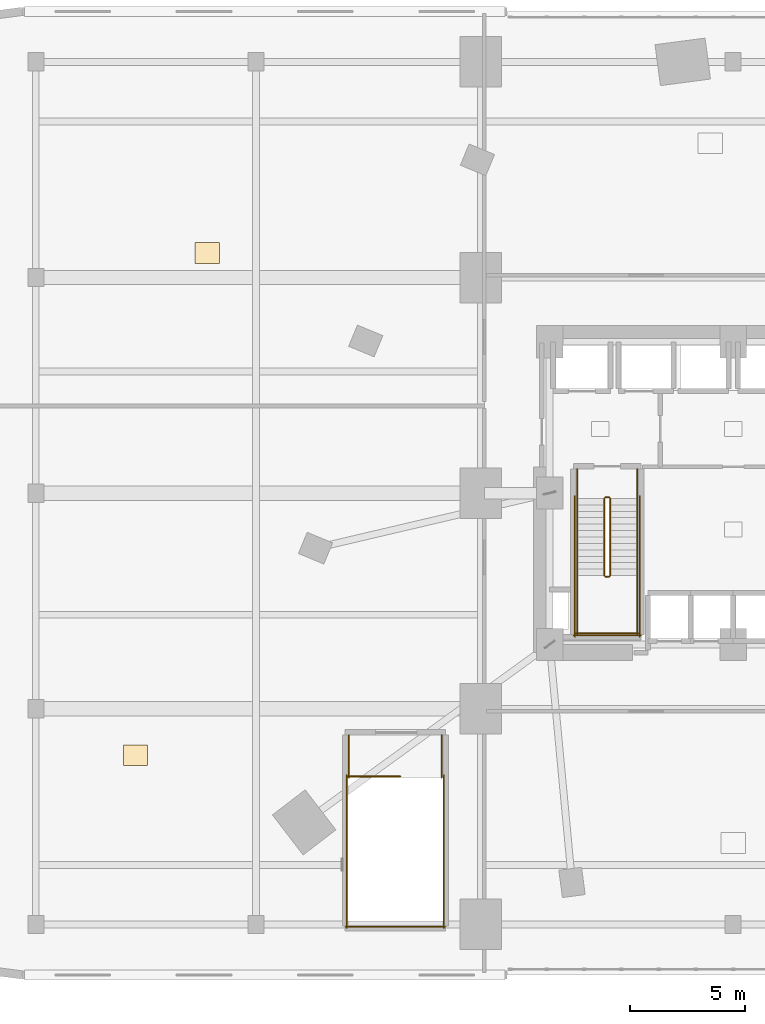
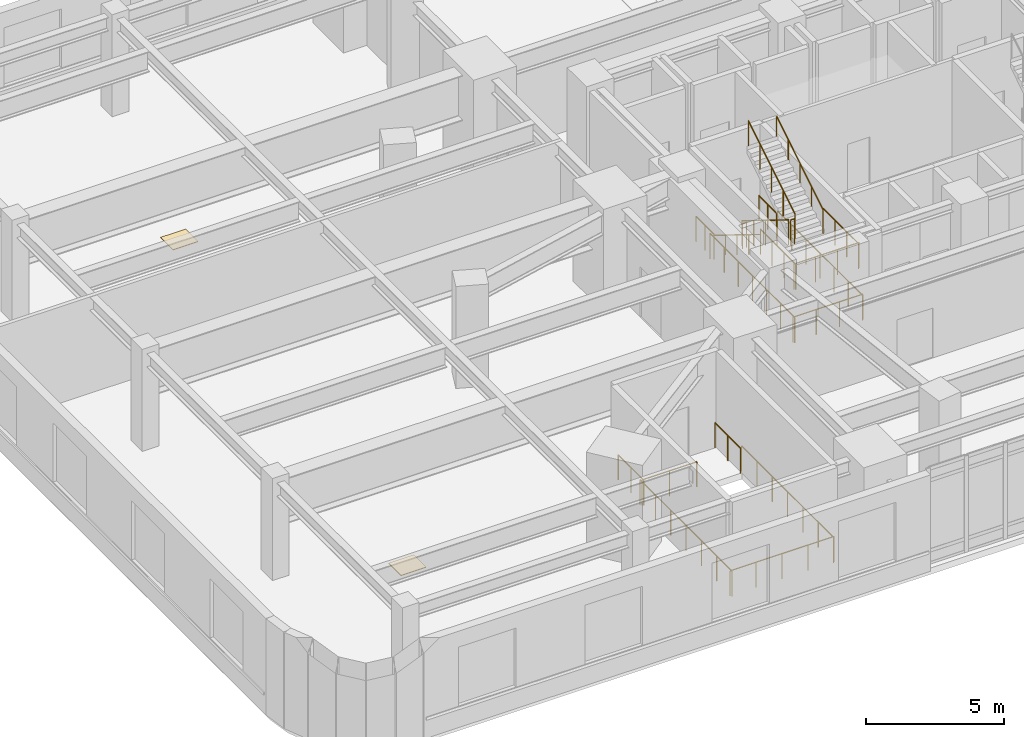
# One storey, part 18 of 20: 20 railings, 2 coverings.
"""IFC4 building model written with IfcOpenShell, lengths in metres."""

from ifc_helpers import new_model, si_unit, direction, frame, origin, origin_2d, place, context, subcontext, project, spatial, rectangle, circle, extrude, material, layer, layer_set, type_object, element, save


model = new_model("IFC4")

# Units and contexts
model_context = context("Model", 3, precision=1e-05, world=origin(), true_north=direction((0.0, 1.0)))
body_context = subcontext(model_context, "Body", "Model", "MODEL_VIEW")
ifc_project = project(units=[si_unit("LENGTHUNIT", "METRE"), si_unit("AREAUNIT", "SQUARE_METRE"), si_unit("VOLUMEUNIT", "CUBIC_METRE"), si_unit("PLANEANGLEUNIT", "RADIAN"), si_unit("MASSUNIT", "GRAM", prefix="KILO")], contexts=[model_context])

# Site, building, storey
site_placement = place(None, origin())
site = spatial("IfcSite", under=ifc_project, at=site_placement, CompositionType="ELEMENT")
building_placement = place(site_placement, origin())
building = spatial("IfcBuilding", under=site, at=building_placement, Name="Ndelora Gate Hotel", CompositionType="ELEMENT")
storey_placement = place(building_placement, frame((0.0, 0.0, 26.0)))
storey = spatial("IfcBuildingStorey", under=building, at=storey_placement, Name="L05", CompositionType="ELEMENT", Elevation=26.0)

# Coverings
ifc_material_1 = material(Name="Engineered Highland Oak Parquet", Category="wood")
ifc_layer_1 = layer(ifc_material_1, 0.030029296875)
ifc_layer_set_1 = layer_set([ifc_layer_1], Name="Engineered Highland Oak Parquet")
covering_type = type_object("IfcCoveringType", Name="COV-FLR-PARQ", PredefinedType="FLOORING", material=ifc_layer_set_1)
for number, where, z_axis, x_axis, name in (
    (1, (-26.050048828125, -11.423583984375, 0.0), (0.0, 0.0, 1.0), (1.0, 0.0, 0.0), "L05 Karura Conference Hall West Oak Parquet Flooring"),
    (2, (-22.925048828125, 10.46875, 0.0), (0.0, 0.0, 1.0), (1.0, 0.0, 0.0), "L05 Rift Valley Conference Room Oak Parquet Flooring"),
):
    element("IfcCovering", number, at=place(storey_placement, frame(where, z_axis=z_axis, x_axis=x_axis)), inside=storey, type_object=covering_type, Name=name, PredefinedType="FLOORING", context=body_context, shape_type="SweptSolid", body=[
        extrude(rectangle(XDim=1.050048828125, YDim=0.89990234375, at=origin_2d()), origin(), (0.0, 0.0, 1.0), 0.030029296875),
    ])

# Railings
ifc_material_2 = material(Name="Painted Galvanized Steel Balustrade", Category="steel")
ifc_layer_2 = layer(ifc_material_2, 0.06005859375)
ifc_layer_set_2 = layer_set([ifc_layer_2], Name="Painted Galvanized Steel Balustrade")
railing_type_1 = type_object("IfcRailingType", Name="RL-STAIR-GD", PredefinedType="GUARDRAIL", material=ifc_layer_set_2)
railing_1_placement = place(storey_placement, frame((-5.6201171875, -0.22998046875, 0.173095703125)))
element("IfcRailing", 3, at=railing_1_placement, inside=storey, type_object=railing_type_1, Name="L05 ST4 stair guard 1", PredefinedType="GUARDRAIL", context=body_context, shape_type="SweptSolid", body=[
    extrude(circle(Radius=0.02392578125, at=origin_2d()), frame((0.0, 0.0, 1.10595703125), z_axis=(0.0, -0.850623216509, 0.525775754039), x_axis=(1.0, 0.0, 0.0)), (0.0, 0.0, 1.0), 3.9501953125),
    extrude(circle(Radius=0.02099609375, at=origin_2d()), origin(), (0.0, 0.0, 1.0), 1.081787109375),
    extrude(circle(Radius=0.02099609375, at=origin_2d()), frame((0.0, -0.840087890625, 0.519287109375)), (0.0, 0.0, 1.0), 1.081787109375),
    extrude(circle(Radius=0.02099609375, at=origin_2d()), frame((0.0, -1.68017578125, 1.03857421875)), (0.0, 0.0, 1.0), 1.081787109375),
    extrude(circle(Radius=0.02099609375, at=origin_2d()), frame((0.0, -2.52001953125, 1.5576171875)), (0.0, 0.0, 1.0), 1.081787109375),
    extrude(circle(Radius=0.02099609375, at=origin_2d()), frame((0.0, -3.360107421875, 2.076904296875)), (0.0, 0.0, 1.0), 1.081787109375),
])
railing_2_placement = place(storey_placement, frame((-5.570068359375, -3.639892578125, 2.25)))
element("IfcRailing", 4, at=railing_2_placement, inside=storey, type_object=railing_type_1, Name="L05 ST4 stair guard 2", PredefinedType="GUARDRAIL", context=body_context, shape_type="SweptSolid", body=[
    extrude(circle(Radius=0.02392578125, at=origin_2d()), frame((0.0, 0.0, 1.10595703125), z_axis=(1.0, 0.0, 0.0), x_axis=(0.0, 1.0, 0.0)), (0.0, 0.0, 1.0), 0.16015625),
    extrude(circle(Radius=0.02099609375, at=origin_2d()), origin(), (0.0, 0.0, 1.0), 1.081787109375),
    extrude(circle(Radius=0.02099609375, at=origin_2d()), frame((0.16015625, 0.0, 0.0)), (0.0, 0.0, 1.0), 1.081787109375),
])
for number, where, name in (
    (5, (-6.800048828125, -3.590087890625, 2.25), "L05 ST4 stair guard 3"),
    (6, (-4.179931640625, -3.590087890625, 2.25), "L05 ST4 stair guard 4"),
):
    element("IfcRailing", number, at=place(storey_placement, frame(where)), inside=storey, type_object=railing_type_1, Name=name, PredefinedType="GUARDRAIL", context=body_context, shape_type="SweptSolid", body=[
        extrude(circle(Radius=0.02392578125, at=origin_2d()), frame((0.0, 0.0, 1.10595703125), z_axis=(0.0, -1.0, 0.0), x_axis=(1.0, 0.0, 0.0)), (0.0, 0.0, 1.0), 2.559814453125),
        extrude(circle(Radius=0.02099609375, at=origin_2d()), origin(), (0.0, 0.0, 1.0), 1.081787109375),
        extrude(circle(Radius=0.02099609375, at=origin_2d()), frame((0.0, -0.853271484375, 0.0)), (0.0, 0.0, 1.0), 1.081787109375),
        extrude(circle(Radius=0.02099609375, at=origin_2d()), frame((0.0, -1.70654296875, 0.0)), (0.0, 0.0, 1.0), 1.081787109375),
        extrude(circle(Radius=0.02099609375, at=origin_2d()), frame((0.0, -2.559814453125, 0.0)), (0.0, 0.0, 1.0), 1.081787109375),
    ])
railing_3_placement = place(storey_placement, frame((-6.85009765625, -6.10009765625, 2.25)))
element("IfcRailing", 7, at=railing_3_placement, inside=storey, type_object=railing_type_1, Name="L05 ST4 stair guard 5", PredefinedType="GUARDRAIL", context=body_context, shape_type="SweptSolid", body=[
    extrude(circle(Radius=0.02392578125, at=origin_2d()), frame((0.0, 0.0, 1.10595703125), z_axis=(1.0, 0.0, 0.0), x_axis=(0.0, 1.0, 0.0)), (0.0, 0.0, 1.0), 2.72021484375),
    extrude(circle(Radius=0.02099609375, at=origin_2d()), origin(), (0.0, 0.0, 1.0), 1.081787109375),
    extrude(circle(Radius=0.02099609375, at=origin_2d()), frame((0.90673828125, 0.0, 0.0)), (0.0, 0.0, 1.0), 1.081787109375),
    extrude(circle(Radius=0.02099609375, at=origin_2d()), frame((1.8134765625, 0.0, 0.0)), (0.0, 0.0, 1.0), 1.081787109375),
    extrude(circle(Radius=0.02099609375, at=origin_2d()), frame((2.72021484375, 0.0, 0.0)), (0.0, 0.0, 1.0), 1.081787109375),
])
railing_4_placement = place(storey_placement, frame((-5.360107421875, -3.590087890625, 2.423095703125)))
element("IfcRailing", 8, at=railing_4_placement, inside=storey, type_object=railing_type_1, Name="L05 ST4 stair guard 6", PredefinedType="GUARDRAIL", context=body_context, shape_type="SweptSolid", body=[
    extrude(circle(Radius=0.02392578125, at=origin_2d()), frame((0.0, 0.0, 1.10595703125), z_axis=(0.0, 0.850623216509, 0.525775754039), x_axis=(-1.0, 0.0, 0.0)), (0.0, 0.0, 1.0), 3.9501953125),
    extrude(circle(Radius=0.02099609375, at=origin_2d()), origin(), (0.0, 0.0, 1.0), 1.081787109375),
    extrude(circle(Radius=0.02099609375, at=origin_2d()), frame((0.0, 0.840087890625, 0.519287109375)), (0.0, 0.0, 1.0), 1.081787109375),
    extrude(circle(Radius=0.02099609375, at=origin_2d()), frame((0.0, 1.68017578125, 1.03857421875)), (0.0, 0.0, 1.0), 1.081787109375),
    extrude(circle(Radius=0.02099609375, at=origin_2d()), frame((0.0, 2.52001953125, 1.5576171875)), (0.0, 0.0, 1.0), 1.081787109375),
    extrude(circle(Radius=0.02099609375, at=origin_2d()), frame((0.0, 3.360107421875, 2.076904296875)), (0.0, 0.0, 1.0), 1.081787109375),
])
railing_5_placement = place(storey_placement, frame((-5.570068359375, -0.179931640625, 0.0)))
element("IfcRailing", 9, at=railing_5_placement, inside=storey, type_object=railing_type_1, Name="L05 ST4 stair guard 7", PredefinedType="GUARDRAIL", context=body_context, shape_type="SweptSolid", body=[
    extrude(circle(Radius=0.02392578125, at=origin_2d()), frame((0.0, 0.0, 1.10595703125), z_axis=(1.0, 0.0, 0.0), x_axis=(0.0, 1.0, 0.0)), (0.0, 0.0, 1.0), 0.16015625),
    extrude(circle(Radius=0.02099609375, at=origin_2d()), origin(), (0.0, 0.0, 1.0), 1.081787109375),
    extrude(circle(Radius=0.02099609375, at=origin_2d()), frame((0.16015625, 0.0, 0.0)), (0.0, 0.0, 1.0), 1.081787109375),
])
for number, where, name in (
    (10, (-6.800048828125, 1.050048828125, 0.0), "L05 ST4 stair guard 8"),
    (11, (-4.179931640625, 1.050048828125, 0.0), "L05 ST4 stair guard 9"),
):
    element("IfcRailing", number, at=place(storey_placement, frame(where)), inside=storey, type_object=railing_type_1, Name=name, PredefinedType="GUARDRAIL", context=body_context, shape_type="SweptSolid", body=[
        extrude(circle(Radius=0.02392578125, at=origin_2d()), frame((0.0, 0.0, 1.10595703125), z_axis=(0.0, -1.0, 0.0), x_axis=(1.0, 0.0, 0.0)), (0.0, 0.0, 1.0), 1.280029296875),
        extrude(circle(Radius=0.02099609375, at=origin_2d()), origin(), (0.0, 0.0, 1.0), 1.081787109375),
        extrude(circle(Radius=0.02099609375, at=origin_2d()), frame((0.0, -0.64013671875, 0.0)), (0.0, 0.0, 1.0), 1.081787109375),
        extrude(circle(Radius=0.02099609375, at=origin_2d()), frame((0.0, -1.280029296875, 0.0)), (0.0, 0.0, 1.0), 1.081787109375),
    ])
for number, where, name in (
    (12, (-6.89990234375, -0.1298828125, 0.0), "L05 ST4 stair guard 10"),
    (13, (-4.080078125, -0.1298828125, 0.0), "L05 ST4 stair guard 11"),
):
    element("IfcRailing", number, at=place(storey_placement, frame(where)), inside=storey, type_object=railing_type_1, Name=name, PredefinedType="GUARDRAIL", context=body_context, shape_type="SweptSolid", body=[
        extrude(circle(Radius=0.02392578125, at=origin_2d()), frame((0.0, 0.0, 1.10595703125), z_axis=(0.0, -1.0, 0.0), x_axis=(1.0, 0.0, 0.0)), (0.0, 0.0, 1.0), 6.1201171875),
        extrude(circle(Radius=0.02099609375, at=origin_2d()), origin(), (0.0, 0.0, 1.0), 1.081787109375),
        extrude(circle(Radius=0.02099609375, at=origin_2d()), frame((0.0, -1.02001953125, 0.0)), (0.0, 0.0, 1.0), 1.081787109375),
        extrude(circle(Radius=0.02099609375, at=origin_2d()), frame((0.0, -2.0400390625, 0.0)), (0.0, 0.0, 1.0), 1.081787109375),
        extrude(circle(Radius=0.02099609375, at=origin_2d()), frame((0.0, -3.06005859375, 0.0)), (0.0, 0.0, 1.0), 1.081787109375),
        extrude(circle(Radius=0.02099609375, at=origin_2d()), frame((0.0, -4.080078125, 0.0)), (0.0, 0.0, 1.0), 1.081787109375),
        extrude(circle(Radius=0.02099609375, at=origin_2d()), frame((0.0, -5.10009765625, 0.0)), (0.0, 0.0, 1.0), 1.081787109375),
        extrude(circle(Radius=0.02099609375, at=origin_2d()), frame((0.0, -6.1201171875, 0.0)), (0.0, 0.0, 1.0), 1.081787109375),
    ])
railing_6_placement = place(storey_placement, frame((-6.949951171875, -6.199951171875, 0.0)))
element("IfcRailing", 14, at=railing_6_placement, inside=storey, type_object=railing_type_1, Name="L05 ST4 stair guard 12", PredefinedType="GUARDRAIL", context=body_context, shape_type="SweptSolid", body=[
    extrude(circle(Radius=0.02392578125, at=origin_2d()), frame((0.0, 0.0, 1.10595703125), z_axis=(1.0, 0.0, 0.0), x_axis=(0.0, 1.0, 0.0)), (0.0, 0.0, 1.0), 2.919921875),
    extrude(circle(Radius=0.02099609375, at=origin_2d()), origin(), (0.0, 0.0, 1.0), 1.081787109375),
    extrude(circle(Radius=0.02099609375, at=origin_2d()), frame((0.973388671875, 0.0, 0.0)), (0.0, 0.0, 1.0), 1.081787109375),
    extrude(circle(Radius=0.02099609375, at=origin_2d()), frame((1.946533203125, 0.0, 0.0)), (0.0, 0.0, 1.0), 1.081787109375),
    extrude(circle(Radius=0.02099609375, at=origin_2d()), frame((2.919921875, 0.0, 0.0)), (0.0, 0.0, 1.0), 1.081787109375),
])
railing_7_placement = place(storey_placement, frame((-16.800048828125, -12.35009765625, 0.0)))
element("IfcRailing", 15, at=railing_7_placement, inside=storey, type_object=railing_type_1, Name="L05 ST3A top well guard 1", PredefinedType="GUARDRAIL", context=body_context, shape_type="SweptSolid", body=[
    extrude(circle(Radius=0.02392578125, at=origin_2d()), frame((0.0, 0.0, 1.10595703125), z_axis=(1.0, 0.0, 0.0), x_axis=(0.0, 1.0, 0.0)), (0.0, 0.0, 1.0), 2.2900390625),
    extrude(circle(Radius=0.02099609375, at=origin_2d()), origin(), (0.0, 0.0, 1.0), 1.081787109375),
    extrude(circle(Radius=0.02099609375, at=origin_2d()), frame((1.14501953125, 0.0, 0.0)), (0.0, 0.0, 1.0), 1.081787109375),
    extrude(circle(Radius=0.02099609375, at=origin_2d()), frame((2.2900390625, 0.0, 0.0)), (0.0, 0.0, 1.0), 1.081787109375),
])
for number, where, name in (
    (16, (-16.85009765625, -12.300048828125, 0.0), "L05 ST3A top well guard 2"),
    (17, (-12.610107421875, -12.300048828125, 0.0), "L05 ST3A top well guard 3"),
):
    element("IfcRailing", number, at=place(storey_placement, frame(where)), inside=storey, type_object=railing_type_1, Name=name, PredefinedType="GUARDRAIL", context=body_context, shape_type="SweptSolid", body=[
        extrude(circle(Radius=0.02392578125, at=origin_2d()), frame((0.0, 0.0, 1.10595703125), z_axis=(0.0, -1.0, 0.0), x_axis=(1.0, 0.0, 0.0)), (0.0, 0.0, 1.0), 6.64990234375),
        extrude(circle(Radius=0.02099609375, at=origin_2d()), origin(), (0.0, 0.0, 1.0), 1.081787109375),
        extrude(circle(Radius=0.02099609375, at=origin_2d()), frame((0.0, -1.1083984375, 0.0)), (0.0, 0.0, 1.0), 1.081787109375),
        extrude(circle(Radius=0.02099609375, at=origin_2d()), frame((0.0, -2.216552734375, 0.0)), (0.0, 0.0, 1.0), 1.081787109375),
        extrude(circle(Radius=0.02099609375, at=origin_2d()), frame((0.0, -3.324951171875, 0.0)), (0.0, 0.0, 1.0), 1.081787109375),
        extrude(circle(Radius=0.02099609375, at=origin_2d()), frame((0.0, -4.433349609375, 0.0)), (0.0, 0.0, 1.0), 1.081787109375),
        extrude(circle(Radius=0.02099609375, at=origin_2d()), frame((0.0, -5.54150390625, 0.0)), (0.0, 0.0, 1.0), 1.081787109375),
        extrude(circle(Radius=0.02099609375, at=origin_2d()), frame((0.0, -6.64990234375, 0.0)), (0.0, 0.0, 1.0), 1.081787109375),
    ])
railing_8_placement = place(storey_placement, frame((-16.89990234375, -18.89990234375, 0.0)))
element("IfcRailing", 18, at=railing_8_placement, inside=storey, type_object=railing_type_1, Name="L05 ST3A top well guard 4", PredefinedType="GUARDRAIL", context=body_context, shape_type="SweptSolid", body=[
    extrude(circle(Radius=0.02392578125, at=origin_2d()), frame((0.0, 0.0, 1.10595703125), z_axis=(1.0, 0.0, 0.0), x_axis=(0.0, 1.0, 0.0)), (0.0, 0.0, 1.0), 4.33984375),
    extrude(circle(Radius=0.02099609375, at=origin_2d()), origin(), (0.0, 0.0, 1.0), 1.081787109375),
    extrude(circle(Radius=0.02099609375, at=origin_2d()), frame((1.0849609375, 0.0, 0.0)), (0.0, 0.0, 1.0), 1.081787109375),
    extrude(circle(Radius=0.02099609375, at=origin_2d()), frame((2.169921875, 0.0, 0.0)), (0.0, 0.0, 1.0), 1.081787109375),
    extrude(circle(Radius=0.02099609375, at=origin_2d()), frame((3.2548828125, 0.0, 0.0)), (0.0, 0.0, 1.0), 1.081787109375),
    extrude(circle(Radius=0.02099609375, at=origin_2d()), frame((4.33984375, 0.0, 0.0)), (0.0, 0.0, 1.0), 1.081787109375),
])
for number, where, name in (
    (19, (-16.75, -10.550048828125, 0.0), "L05 ST3A top well guard 5"),
    (20, (-12.7099609375, -10.550048828125, 0.0), "L05 ST3A top well guard 6"),
):
    element("IfcRailing", number, at=place(storey_placement, frame(where)), inside=storey, type_object=railing_type_1, Name=name, PredefinedType="GUARDRAIL", context=body_context, shape_type="SweptSolid", body=[
        extrude(circle(Radius=0.02392578125, at=origin_2d()), frame((0.0, 0.0, 1.10595703125), z_axis=(0.0, -1.0, 0.0), x_axis=(1.0, 0.0, 0.0)), (0.0, 0.0, 1.0), 1.849853515625),
        extrude(circle(Radius=0.02099609375, at=origin_2d()), origin(), (0.0, 0.0, 1.0), 1.081787109375),
        extrude(circle(Radius=0.02099609375, at=origin_2d()), frame((0.0, -0.9248046875, 0.0)), (0.0, 0.0, 1.0), 1.081787109375),
        extrude(circle(Radius=0.02099609375, at=origin_2d()), frame((0.0, -1.849853515625, 0.0)), (0.0, 0.0, 1.0), 1.081787109375),
    ])
ifc_material_3 = material(Name="Brushed Stainless Steel 316", Category="steel")
ifc_layer_3 = layer(ifc_material_3, 0.050048828125)
ifc_layer_set_3 = layer_set([ifc_layer_3], Name="Brushed Stainless Steel 316")
railing_type_2 = type_object("IfcRailingType", Name="RL-STAIR-HR", PredefinedType="HANDRAIL", material=ifc_layer_set_3)
railing_9_placement = place(storey_placement, frame((-6.800048828125, -0.22998046875, 0.173095703125)))
element("IfcRailing", 21, at=railing_9_placement, inside=storey, type_object=railing_type_2, Name="L05 ST4 stair handrail 1", PredefinedType="HANDRAIL", context=body_context, shape_type="SweptSolid", body=[
    extrude(circle(Radius=0.02392578125, at=origin_2d()), frame((0.0, 0.0, 0.8759765625), z_axis=(0.0, -0.850623216509, 0.525775754039), x_axis=(1.0, 0.0, 0.0)), (0.0, 0.0, 1.0), 3.9501953125),
    extrude(circle(Radius=0.02099609375, at=origin_2d()), origin(), (0.0, 0.0, 1.0), 0.851806640625),
    extrude(circle(Radius=0.02099609375, at=origin_2d()), frame((0.0, -0.840087890625, 0.519287109375)), (0.0, 0.0, 1.0), 0.851806640625),
    extrude(circle(Radius=0.02099609375, at=origin_2d()), frame((0.0, -1.68017578125, 1.03857421875)), (0.0, 0.0, 1.0), 0.851806640625),
    extrude(circle(Radius=0.02099609375, at=origin_2d()), frame((0.0, -2.52001953125, 1.5576171875)), (0.0, 0.0, 1.0), 0.851806640625),
    extrude(circle(Radius=0.02099609375, at=origin_2d()), frame((0.0, -3.360107421875, 2.076904296875)), (0.0, 0.0, 1.0), 0.851806640625),
])
railing_10_placement = place(storey_placement, frame((-4.179931640625, -3.590087890625, 2.423095703125)))
element("IfcRailing", 22, at=railing_10_placement, inside=storey, type_object=railing_type_2, Name="L05 ST4 stair handrail 2", PredefinedType="HANDRAIL", context=body_context, shape_type="SweptSolid", body=[
    extrude(circle(Radius=0.02392578125, at=origin_2d()), frame((0.0, 0.0, 0.8759765625), z_axis=(0.0, 0.850623216509, 0.525775754039), x_axis=(-1.0, 0.0, 0.0)), (0.0, 0.0, 1.0), 3.9501953125),
    extrude(circle(Radius=0.02099609375, at=origin_2d()), origin(), (0.0, 0.0, 1.0), 0.851806640625),
    extrude(circle(Radius=0.02099609375, at=origin_2d()), frame((0.0, 0.840087890625, 0.519287109375)), (0.0, 0.0, 1.0), 0.851806640625),
    extrude(circle(Radius=0.02099609375, at=origin_2d()), frame((0.0, 1.68017578125, 1.03857421875)), (0.0, 0.0, 1.0), 0.851806640625),
    extrude(circle(Radius=0.02099609375, at=origin_2d()), frame((0.0, 2.52001953125, 1.5576171875)), (0.0, 0.0, 1.0), 0.851806640625),
    extrude(circle(Radius=0.02099609375, at=origin_2d()), frame((0.0, 3.360107421875, 2.076904296875)), (0.0, 0.0, 1.0), 0.851806640625),
])

save(model, "model.ifc")
